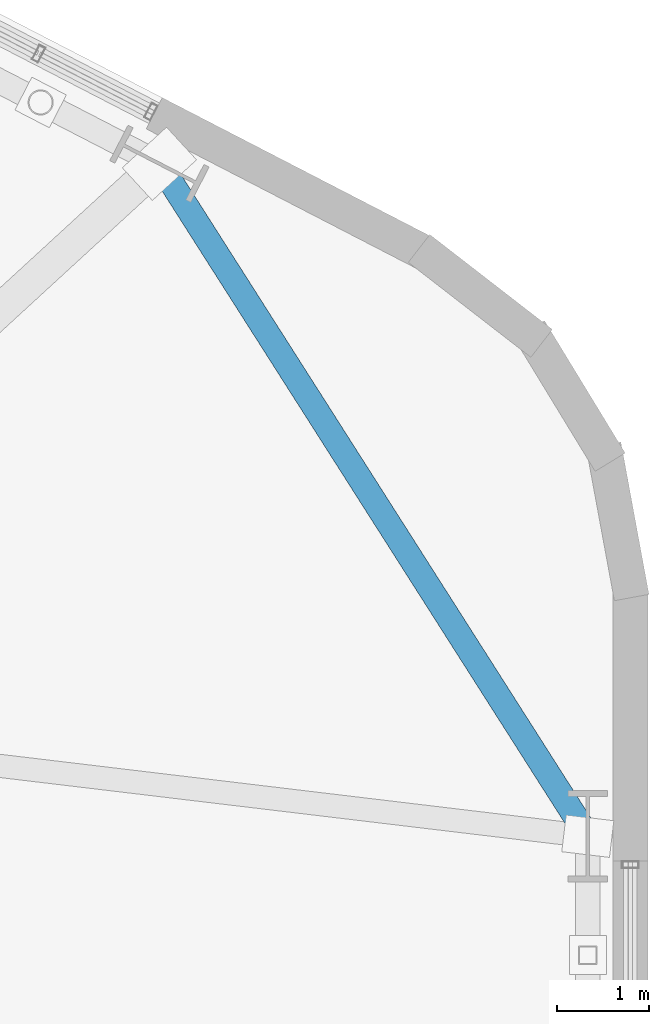
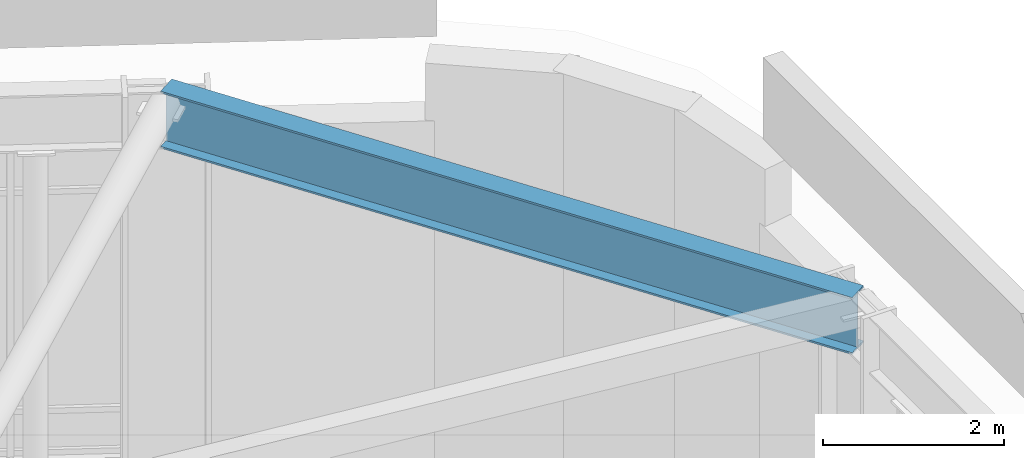
# One storey, part 17 of 23: 1 beam.
"""IFC4 building model written with IfcOpenShell, lengths in metres."""

from ifc_helpers import new_model, si_unit, direction, frame, origin, origin_2d, place, context, subcontext, project, spatial, i_section, extrude, material, material_profile, profile_set, type_object, element, save


model = new_model("IFC4")

# Units and contexts
model_context = context("Model", 3, precision=1e-05, world=origin(), true_north=direction((0.0, 1.0)))
body_context = subcontext(model_context, "Body", "Model", "MODEL_VIEW")
ifc_project = project(units=[si_unit("LENGTHUNIT", "METRE"), si_unit("AREAUNIT", "SQUARE_METRE"), si_unit("VOLUMEUNIT", "CUBIC_METRE"), si_unit("PLANEANGLEUNIT", "RADIAN"), si_unit("MASSUNIT", "GRAM", prefix="KILO"), si_unit("THERMODYNAMICTEMPERATUREUNIT", "KELVIN"), si_unit("POWERUNIT", "WATT")], contexts=[model_context])

# Site, building, storey
site_placement = place(None, origin())
site = spatial("IfcSite", under=ifc_project, at=site_placement, CompositionType="ELEMENT")
building_placement = place(site_placement, origin())
building = spatial("IfcBuilding", under=site, at=building_placement, Name="Skarre Station Tower", CompositionType="ELEMENT")
storey_placement = place(building_placement, frame((0.0, 0.0, 291.300048828125)))
storey = spatial("IfcBuildingStorey", under=building, at=storey_placement, Name="RF", CompositionType="ELEMENT", Elevation=291.300048828125)

# Beam
ifc_material = material(Name="Steel ASTM A992 Grade 50", Category="steel")
ifc_material_profile = material_profile(ifc_material, i_section(OverallWidth=0.26806640625, OverallDepth=0.77001953125, WebThickness=0.01611328125, FlangeThickness=0.02490234375, at=origin_2d()), Name="Steel ASTM A992 Grade 50")
ifc_profile_set = profile_set([ifc_material_profile], Name="Steel ASTM A992 Grade 50")
beam_type = type_object("IfcBeamType", Name="Steel Beam W30X132", PredefinedType="BEAM", material=ifc_profile_set)
beam_placement = place(storey_placement, frame((50.56298828125, 28.02099609375, 9.494873046875), z_axis=(-0.537296523663, 0.843393410965, 0.0), x_axis=(-0.843393410965, -0.537296523663, 0.0)))
element("IfcBeam", 1, at=beam_placement, inside=storey, type_object=beam_type, Name="RF Crown Lantern Cap Ring Beam 12", PredefinedType="BEAM", context=body_context, shape_type="SweptSolid", body=[
    extrude(i_section(OverallWidth=0.26806640625, OverallDepth=0.77001953125, WebThickness=0.01611328125, FlangeThickness=0.02490234375, at=origin_2d()), origin(), (0.0, 0.0, 1.0), 8.62841796875),
])

save(model, "model.ifc")
